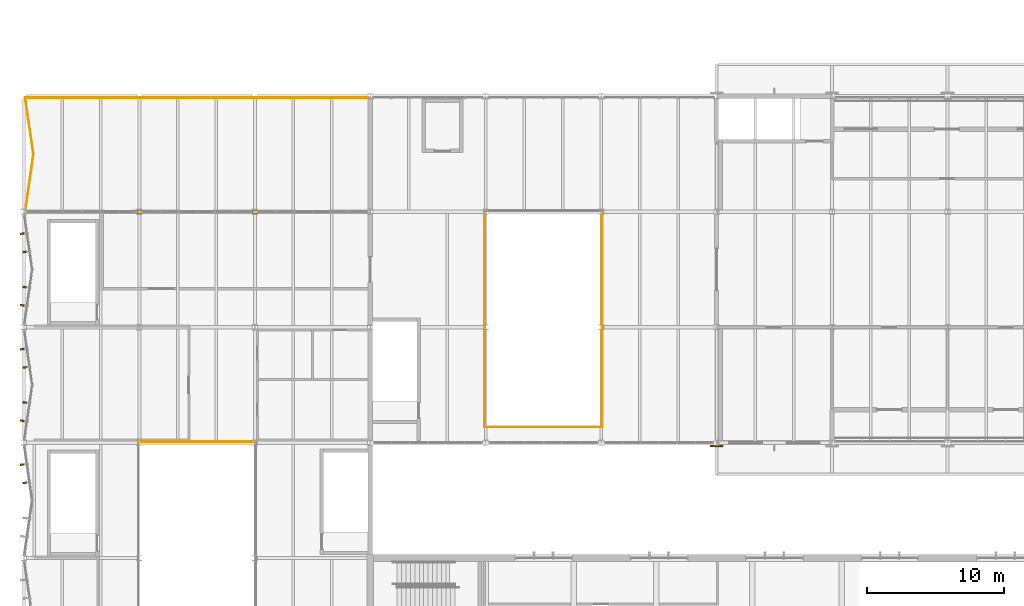
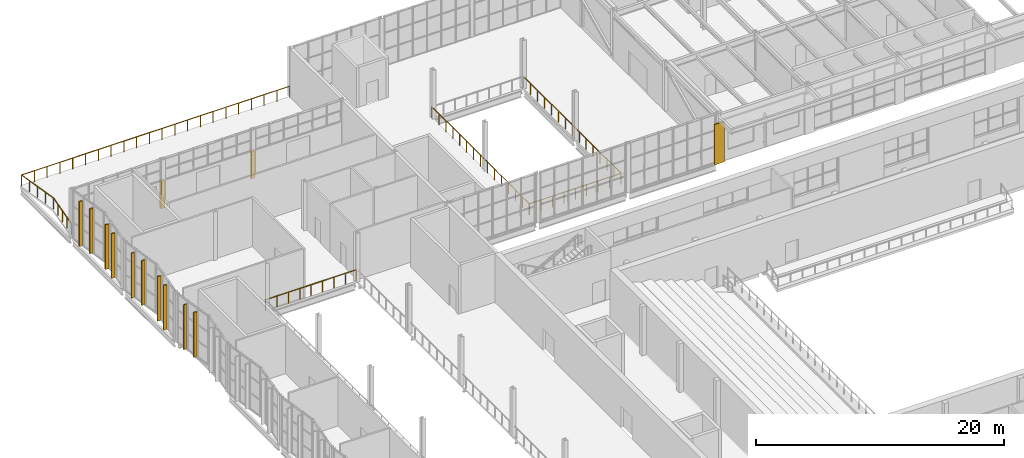
# One storey, part 110 of 116: 10 shading devices, 5 railings, 3 coverings.
"""IFC4 building model written with IfcOpenShell, lengths in metres."""

import ifcopenshell
import ifcopenshell.guid

model = None  # the IFC model being written
_history = None  # IfcOwnerHistory: only IFC2X3 demands one
_inside = {}  # id of a spatial element -> (the spatial element, [elements in it])
_under = {}  # id of a project, library or spatial element -> (it, [spatial elements below it])
_declared = {}  # id of a project -> (the project, [libraries it declares])
_typed = {}  # id of a type object -> (the type object, [elements of that type])
_made_of = {}  # id of a material, layer set ... -> (it, [elements and type objects made of it])


def new_model(schema):
    """Start an empty IFC model of exactly this schema.

    Asked for "IFC4X3", IfcOpenShell would pick the latest addendum, in which some entities
    have other attributes; the version numbers below select the first issue.
    IFC2X3 requires an IfcOwnerHistory on every rooted entity: one is made here for all.
    """
    global model, _history
    if schema == "IFC4X3":
        model = ifcopenshell.file(schema_version=(4, 3, 0, 0))
    else:
        model = ifcopenshell.file(schema=schema)
    _inside.clear()
    _under.clear()
    _declared.clear()
    _typed.clear()
    _made_of.clear()
    _history = None
    if model.schema == "IFC2X3":
        org = make("IfcOrganization", Name="unknown")
        user = make(
            "IfcPersonAndOrganization",
            ThePerson=make("IfcPerson", FamilyName="unknown"),
            TheOrganization=org,
        )
        app = make(
            "IfcApplication",
            ApplicationDeveloper=org,
            Version="unknown",
            ApplicationFullName="unknown",
            ApplicationIdentifier="unknown",
        )
        _history = make(
            "IfcOwnerHistory",
            OwningUser=user,
            OwningApplication=app,
            ChangeAction="ADDED",
            CreationDate=0,
        )
    return model


def make(cls, **values):
    """One entity of the class cls with the attributes given. An attribute that is None is left unset."""
    return model.create_entity(
        cls, **{name: value for name, value in values.items() if value is not None}
    )


def rooted(cls, **values):
    """An entity with a GlobalId (a new one), such as an element, a storey or a relation."""
    return make(cls, GlobalId=ifcopenshell.guid.new(), OwnerHistory=_history, **values)


def si_unit(unit_type, name, prefix=None):
    """IfcSIUnit, for example si_unit("LENGTHUNIT", "METRE", prefix="MILLI")."""
    return make("IfcSIUnit", UnitType=unit_type, Prefix=prefix, Name=name)


def assignment(units):
    """IfcUnitAssignment: the units of a project."""
    return None if units is None else make("IfcUnitAssignment", Units=units)


def point(xyz):
    """IfcCartesianPoint."""
    return None if xyz is None else make("IfcCartesianPoint", Coordinates=xyz)


def direction(xyz):
    """IfcDirection."""
    return None if xyz is None else make("IfcDirection", DirectionRatios=xyz)


def frame(location, z_axis=None, x_axis=None):
    """IfcAxis2Placement3D, a coordinate frame: its origin and axes. An axis left out is left unset."""
    return make(
        "IfcAxis2Placement3D",
        Location=point(location),
        Axis=direction(z_axis),
        RefDirection=direction(x_axis),
    )


def frame_2d(location, x_axis=None):
    """IfcAxis2Placement2D, a coordinate frame in the plane: its origin and x axis."""
    return make(
        "IfcAxis2Placement2D", Location=point(location), RefDirection=direction(x_axis)
    )


def origin():
    """The frame at (0, 0, 0) with its axes left unset."""
    return frame((0.0, 0.0, 0.0))


def origin_2d():
    """The frame at (0, 0) in the plane with its x axis left unset."""
    return frame_2d((0.0, 0.0))


def place(relative_to, where):
    """IfcLocalPlacement: puts the frame where relative to a parent placement (None: the world)."""
    return make(
        "IfcLocalPlacement", PlacementRelTo=relative_to, RelativePlacement=where
    )


def context(
    kind, dimensions, precision=None, world=None, true_north=None, identifier=None
):
    """IfcGeometricRepresentationContext, for example the 3D "Model" context."""
    return make(
        "IfcGeometricRepresentationContext",
        ContextIdentifier=identifier,
        ContextType=kind,
        CoordinateSpaceDimension=dimensions,
        Precision=precision,
        WorldCoordinateSystem=world,
        TrueNorth=true_north,
    )


def subcontext(parent, identifier, kind, view, scale=None):
    """IfcGeometricRepresentationSubContext, for example "Body" below "Model"."""
    return make(
        "IfcGeometricRepresentationSubContext",
        ContextIdentifier=identifier,
        ContextType=kind,
        ParentContext=parent,
        TargetScale=scale,
        TargetView=view,
    )


def project(units=None, contexts=None):
    """IfcProject with its units and contexts."""
    return rooted(
        "IfcProject",
        Name="project",
        RepresentationContexts=contexts,
        UnitsInContext=assignment(units),
    )


def spatial(cls, under=None, at=None, **own):
    """A site, building, storey or space (cls), placed at a placement, below another one or the project."""
    s = rooted(cls, ObjectPlacement=at, **own)
    if under is not None:
        _under.setdefault(under.id(), (under, []))[1].append(s)
    return s


def polyline(points):
    """IfcPolyline through the points."""
    return make("IfcPolyline", Points=[point(p) for p in points])


def profile(cls, at=None, kind="AREA", **sizes):
    """A parametric profile (cls). Its sizes go by their IFC names, for example OverallWidth=200.0."""
    return make(cls, ProfileType=kind, Position=at, **sizes)


def rectangle(**sizes):
    """IfcRectangleProfileDef."""
    return profile("IfcRectangleProfileDef", **sizes)


def circle(**sizes):
    """IfcCircleProfileDef."""
    return profile("IfcCircleProfileDef", **sizes)


def outline(outer, holes=None, kind="AREA"):
    """IfcArbitraryClosedProfileDef: a profile drawn as a closed curve; with holes, ...WithVoids."""
    if holes is None:
        return make("IfcArbitraryClosedProfileDef", ProfileType=kind, OuterCurve=outer)
    return make(
        "IfcArbitraryProfileDefWithVoids",
        ProfileType=kind,
        OuterCurve=outer,
        InnerCurves=holes,
    )


def extrude(swept, where, along, depth):
    """IfcExtrudedAreaSolid: the profile swept, set in the frame where, extruded along a direction by depth."""
    return make(
        "IfcExtrudedAreaSolid",
        SweptArea=swept,
        Position=where,
        ExtrudedDirection=direction(along),
        Depth=depth,
    )


def shape(context_of_items, identifier, shape_type, items):
    """IfcShapeRepresentation: the items that make up one representation, for example the "Body"."""
    return make(
        "IfcShapeRepresentation",
        ContextOfItems=context_of_items,
        RepresentationIdentifier=identifier,
        RepresentationType=shape_type,
        Items=items,
    )


def material(Name=None, Category=None):
    """IfcMaterial."""
    return make("IfcMaterial", Name=Name, Category=Category)


def layer(
    of_material, thickness, ventilated=None, Name=None, Category=None, Priority=None
):
    """IfcMaterialLayer: one layer of a wall or slab, of a material (None: an air gap)."""
    return make(
        "IfcMaterialLayer",
        Material=of_material,
        LayerThickness=thickness,
        IsVentilated=ventilated,
        Name=Name,
        Category=Category,
        Priority=Priority,
    )


def layer_set(layers, Name=None):
    """IfcMaterialLayerSet."""
    return make("IfcMaterialLayerSet", MaterialLayers=layers, LayerSetName=Name)


def made_of(thing, what):
    """Note that an element or type object is made of a material, layer set ...; save() writes the relation."""
    if what is not None:
        _made_of.setdefault(what.id(), (what, []))[1].append(thing)
    return thing


def type_object(cls, material=None, **own):
    """A type object (cls), such as IfcWallType, which elements share."""
    return made_of(rooted(cls, **own), material)


def element(
    cls,
    number,
    at=None,
    inside=None,
    cuts=None,
    type_object=None,
    material=None,
    context=None,
    identifier="Body",
    shape_type=None,
    held_by="IfcProductDefinitionShape",
    body=None,
    shapes=None,
    **own,
):
    """One element of the class cls, such as IfcWall. Its Tag is "e" and its number.

    at: its placement. inside: the storey or other place that contains it. cuts: it is an
    opening in that element (IfcRelVoidsElement). A single representation is given by context,
    identifier, shape_type and body (its items); several are given by shapes. held_by: the class
    of the entity that holds the representations. save() writes the other relations.
    """
    e = rooted(cls, Tag="e%d" % number, ObjectPlacement=at, **own)
    if body is not None:
        shapes = [shape(context, identifier, shape_type, body)]
    if shapes is not None:
        e.Representation = make(held_by, Representations=shapes)
    if inside is not None:
        _inside.setdefault(inside.id(), (inside, []))[1].append(e)
    if cuts is not None:
        rooted(
            "IfcRelVoidsElement", RelatingBuildingElement=cuts, RelatedOpeningElement=e
        )
    if type_object is not None:
        _typed.setdefault(type_object.id(), (type_object, []))[1].append(e)
    return made_of(e, material)


def aggregate(whole, parts):
    """IfcRelAggregates: a whole, such as a stair, and the parts it consists of."""
    return rooted("IfcRelAggregates", RelatingObject=whole, RelatedObjects=parts)


def save(model, path):
    """Write the relations noted so far, then the file.

    IfcRelAggregates (storeys below a building ...), IfcRelContainedInSpatialStructure (elements
    in a storey), IfcRelDefinesByType, IfcRelAssociatesMaterial and IfcRelDeclares: one each for
    every whole, place, type object, material and project.
    """
    for whole, parts in _under.values():
        aggregate(whole, parts)
    for where, things in _inside.values():
        rooted(
            "IfcRelContainedInSpatialStructure",
            RelatedElements=things,
            RelatingStructure=where,
        )
    for kind, things in _typed.values():
        rooted("IfcRelDefinesByType", RelatedObjects=things, RelatingType=kind)
    for what, things in _made_of.values():
        rooted("IfcRelAssociatesMaterial", RelatedObjects=things, RelatingMaterial=what)
    for by, libraries in _declared.values():
        rooted("IfcRelDeclares", RelatingContext=by, RelatedDefinitions=libraries)
    model.write(path)


model = new_model("IFC4")

# Units and contexts
model_context = context("Model", 3, precision=1e-05, world=origin(), true_north=direction((0.0, 1.0)))
body_context = subcontext(model_context, "Body", "Model", "MODEL_VIEW")
ifc_project = project(units=[si_unit("LENGTHUNIT", "METRE"), si_unit("AREAUNIT", "SQUARE_METRE"), si_unit("VOLUMEUNIT", "CUBIC_METRE"), si_unit("PLANEANGLEUNIT", "RADIAN"), si_unit("MASSUNIT", "GRAM", prefix="KILO")], contexts=[model_context])

# Site, building, storey
site_placement = place(None, origin())
site = spatial("IfcSite", under=ifc_project, at=site_placement, CompositionType="ELEMENT")
building_placement = place(site_placement, origin())
building = spatial("IfcBuilding", under=site, at=building_placement, Name="Ljudholm Concert House", CompositionType="ELEMENT")
storey_placement = place(building_placement, frame((0.0, 0.0, 10.199951171875)))
storey = spatial("IfcBuildingStorey", under=building, at=storey_placement, Name="L02", CompositionType="ELEMENT", Elevation=10.199951171875)

# Coverings
ifc_material_1 = material(Name="Aluminium panels with timber-grain PVDF finish", Category="aluminium")
ifc_layer_1 = layer(ifc_material_1, 2.699951171875)
ifc_layer_set_1 = layer_set([ifc_layer_1], Name="Aluminium panels with timber-grain PVDF finish")
covering_type_1 = type_object("IfcCoveringType", Name="ALUMINIUM PANELS WITH TIMBER-GRAIN PVDF FINISH CLADDING 2700", PredefinedType="CLADDING", material=ifc_layer_set_1)
covering_1_placement = place(storey_placement, origin())
element("IfcCovering", 1, at=covering_1_placement, inside=storey, type_object=covering_type_1, Name="Terrace wall joint panel", PredefinedType="CLADDING", context=body_context, shape_type="SweptSolid", body=[
    extrude(outline(polyline([(12.22216796875, 121.47509765625), (12.577880859375, 121.47509765625), (12.577880859375, 121.72509765625), (12.22216796875, 121.72509765625), (12.22216796875, 121.47509765625)])), origin(), (0.0, 0.0, 1.0), 2.699951171875),
])
covering_2_placement = place(storey_placement, origin())
element("IfcCovering", 2, at=covering_2_placement, inside=storey, type_object=covering_type_1, Name="Terrace wall joint panel", PredefinedType="CLADDING", context=body_context, shape_type="SweptSolid", body=[
    extrude(outline(polyline([(20.622314453125, 121.47509765625), (20.977783203125, 121.47509765625), (20.977783203125, 121.72509765625), (20.622314453125, 121.72509765625), (20.622314453125, 121.47509765625)])), origin(), (0.0, 0.0, 1.0), 2.699951171875),
])

# Shading devices
ifc_material_2 = material(Name="Aluminium extrusion with timber-grain PVDF finish", Category="aluminium")
shading_device_type = type_object("IfcShadingDeviceType", Name="FACADE FIN 300x120", PredefinedType="SHUTTER", material=ifc_material_2)
for number, where, z_axis, x_axis, name in (
    (3, (4.06396484375, 101.8779296875, 0.2001953125), (0.0, 0.0, 1.0), (-0.989949493662, -0.141421356235, 0.0), "Facade fin"),
    (4, (3.874267578125, 103.205322265625, 0.2001953125), (0.0, 0.0, 1.0), (-0.989949493662, -0.141421356235, 0.0), "Facade fin"),
    (5, (3.874267578125, 106.394775390625, 0.2001953125), (0.0, 0.0, 1.0), (-0.989949493662, 0.141421356235, 0.0), "Facade fin"),
    (6, (4.06396484375, 107.72216796875, 0.2001953125), (0.0, 0.0, 1.0), (-0.989949493662, 0.141421356235, 0.0), "Facade fin"),
    (7, (4.06396484375, 110.27783203125, 0.2001953125), (0.0, 0.0, 1.0), (-0.989949493662, -0.141421356235, 0.0), "Facade fin"),
    (8, (3.874267578125, 111.605224609375, 0.2001953125), (0.0, 0.0, 1.0), (-0.989949493662, -0.141421356235, 0.0), "Facade fin"),
    (9, (3.874267578125, 114.794677734375, 0.2001953125), (0.0, 0.0, 1.0), (-0.989949493662, 0.141421356235, 0.0), "Facade fin"),
    (10, (4.06396484375, 116.1220703125, 0.2001953125), (0.0, 0.0, 1.0), (-0.989949493662, 0.141421356235, 0.0), "Facade fin"),
    (11, (4.06396484375, 118.677978515625, 0.2001953125), (0.0, 0.0, 1.0), (-0.989949493662, -0.141421356235, 0.0), "Facade fin"),
    (12, (3.874267578125, 120.00537109375, 0.2001953125), (0.0, 0.0, 1.0), (-0.989949493662, -0.141421356235, 0.0), "Facade fin"),
):
    element("IfcShadingDevice", number, at=place(storey_placement, frame(where, z_axis=z_axis, x_axis=x_axis)), inside=storey, type_object=shading_device_type, Name=name, PredefinedType="SHUTTER", context=body_context, shape_type="SweptSolid", body=[
        extrude(rectangle(XDim=0.300048828125, YDim=0.1201171875, at=origin_2d()), origin(), (0.0, 0.0, 1.0), 4.39990234375),
    ])

# Railings
ifc_material_3 = material(Name="Steel ASTM A36", Category="steel")
railing_type_1 = type_object("IfcRailingType", Name="GUARD 1100", PredefinedType="GUARDRAIL", material=ifc_material_3)
railing_1_placement = place(storey_placement, frame((20.840087890625, 104.8701171875, 0.0)))
element("IfcRailing", 13, at=railing_1_placement, inside=storey, type_object=railing_type_1, Name="Atrium guard", PredefinedType="GUARDRAIL", context=body_context, shape_type="SweptSolid", body=[
    extrude(circle(Radius=0.02490234375, at=origin_2d()), frame((0.0, 0.0, 1.0751953125), z_axis=(-1.0, 0.0, 0.0), x_axis=(0.0, -1.0, 0.0)), (0.0, 0.0, 1.0), 8.47998046875),
    extrude(circle(Radius=0.02099609375, at=origin_2d()), origin(), (0.0, 0.0, 1.0), 1.050048828125),
    extrude(circle(Radius=0.02099609375, at=origin_2d()), frame((-1.06005859375, 0.0, 0.0)), (0.0, 0.0, 1.0), 1.050048828125),
    extrude(circle(Radius=0.02099609375, at=origin_2d()), frame((-2.1201171875, 0.0, 0.0)), (0.0, 0.0, 1.0), 1.050048828125),
    extrude(circle(Radius=0.02099609375, at=origin_2d()), frame((-3.179931640625, 0.0, 0.0)), (0.0, 0.0, 1.0), 1.050048828125),
    extrude(circle(Radius=0.02099609375, at=origin_2d()), frame((-4.239990234375, 0.0, 0.0)), (0.0, 0.0, 1.0), 1.050048828125),
    extrude(circle(Radius=0.02099609375, at=origin_2d()), frame((-5.300048828125, 0.0, 0.0)), (0.0, 0.0, 1.0), 1.050048828125),
    extrude(circle(Radius=0.02099609375, at=origin_2d()), frame((-6.35986328125, 0.0, 0.0)), (0.0, 0.0, 1.0), 1.050048828125),
    extrude(circle(Radius=0.02099609375, at=origin_2d()), frame((-7.419921875, 0.0, 0.0)), (0.0, 0.0, 1.0), 1.050048828125),
    extrude(circle(Radius=0.02099609375, at=origin_2d()), frame((-8.47998046875, 0.0, 0.0)), (0.0, 0.0, 1.0), 1.050048828125),
])
railing_2_placement = place(storey_placement, frame((37.56005859375, 105.929931640625, 0.0)))
element("IfcRailing", 14, at=railing_2_placement, inside=storey, type_object=railing_type_1, Name="Atrium guard", PredefinedType="GUARDRAIL", context=body_context, shape_type="SweptSolid", body=[
    extrude(circle(Radius=0.02490234375, at=origin_2d()), frame((0.0, 0.0, 1.0751953125), z_axis=(1.0, 0.0, 0.0), x_axis=(0.0, 1.0, 0.0)), (0.0, 0.0, 1.0), 8.47998046875),
    extrude(circle(Radius=0.02099609375, at=origin_2d()), origin(), (0.0, 0.0, 1.0), 1.050048828125),
    extrude(circle(Radius=0.02099609375, at=origin_2d()), frame((1.06005859375, 0.0, 0.0)), (0.0, 0.0, 1.0), 1.050048828125),
    extrude(circle(Radius=0.02099609375, at=origin_2d()), frame((2.1201171875, 0.0, 0.0)), (0.0, 0.0, 1.0), 1.050048828125),
    extrude(circle(Radius=0.02099609375, at=origin_2d()), frame((3.179931640625, 0.0, 0.0)), (0.0, 0.0, 1.0), 1.050048828125),
    extrude(circle(Radius=0.02099609375, at=origin_2d()), frame((4.239990234375, 0.0, 0.0)), (0.0, 0.0, 1.0), 1.050048828125),
    extrude(circle(Radius=0.02099609375, at=origin_2d()), frame((5.300048828125, 0.0, 0.0)), (0.0, 0.0, 1.0), 1.050048828125),
    extrude(circle(Radius=0.02099609375, at=origin_2d()), frame((6.35986328125, 0.0, 0.0)), (0.0, 0.0, 1.0), 1.050048828125),
    extrude(circle(Radius=0.02099609375, at=origin_2d()), frame((7.419921875, 0.0, 0.0)), (0.0, 0.0, 1.0), 1.050048828125),
    extrude(circle(Radius=0.02099609375, at=origin_2d()), frame((8.47998046875, 0.0, 0.0)), (0.0, 0.0, 1.0), 1.050048828125),
])
railing_3_placement = place(storey_placement, frame((46.070068359375, 105.9599609375, 0.0)))
element("IfcRailing", 15, at=railing_3_placement, inside=storey, type_object=railing_type_1, Name="Atrium guard", PredefinedType="GUARDRAIL", context=body_context, shape_type="SweptSolid", body=[
    extrude(circle(Radius=0.02490234375, at=origin_2d()), frame((0.0, 0.0, 1.0751953125), z_axis=(0.0, 1.0, 0.0), x_axis=(-1.0, 0.0, 0.0)), (0.0, 0.0, 1.0), 15.679931640625),
    extrude(circle(Radius=0.02099609375, at=origin_2d()), origin(), (0.0, 0.0, 1.0), 1.050048828125),
    extrude(circle(Radius=0.02099609375, at=origin_2d()), frame((0.0, 1.1201171875, 0.0)), (0.0, 0.0, 1.0), 1.050048828125),
    extrude(circle(Radius=0.02099609375, at=origin_2d()), frame((0.0, 2.239990234375, 0.0)), (0.0, 0.0, 1.0), 1.050048828125),
    extrude(circle(Radius=0.02099609375, at=origin_2d()), frame((0.0, 3.35986328125, 0.0)), (0.0, 0.0, 1.0), 1.050048828125),
    extrude(circle(Radius=0.02099609375, at=origin_2d()), frame((0.0, 4.47998046875, 0.0)), (0.0, 0.0, 1.0), 1.050048828125),
    extrude(circle(Radius=0.02099609375, at=origin_2d()), frame((0.0, 5.60009765625, 0.0)), (0.0, 0.0, 1.0), 1.050048828125),
    extrude(circle(Radius=0.02099609375, at=origin_2d()), frame((0.0, 6.719970703125, 0.0)), (0.0, 0.0, 1.0), 1.050048828125),
    extrude(circle(Radius=0.02099609375, at=origin_2d()), frame((0.0, 7.83984375, 0.0)), (0.0, 0.0, 1.0), 1.050048828125),
    extrude(circle(Radius=0.02099609375, at=origin_2d()), frame((0.0, 8.9599609375, 0.0)), (0.0, 0.0, 1.0), 1.050048828125),
    extrude(circle(Radius=0.02099609375, at=origin_2d()), frame((0.0, 10.080078125, 0.0)), (0.0, 0.0, 1.0), 1.050048828125),
    extrude(circle(Radius=0.02099609375, at=origin_2d()), frame((0.0, 11.199951171875, 0.0)), (0.0, 0.0, 1.0), 1.050048828125),
    extrude(circle(Radius=0.02099609375, at=origin_2d()), frame((0.0, 12.31982421875, 0.0)), (0.0, 0.0, 1.0), 1.050048828125),
    extrude(circle(Radius=0.02099609375, at=origin_2d()), frame((0.0, 13.43994140625, 0.0)), (0.0, 0.0, 1.0), 1.050048828125),
    extrude(circle(Radius=0.02099609375, at=origin_2d()), frame((0.0, 14.56005859375, 0.0)), (0.0, 0.0, 1.0), 1.050048828125),
    extrude(circle(Radius=0.02099609375, at=origin_2d()), frame((0.0, 15.679931640625, 0.0)), (0.0, 0.0, 1.0), 1.050048828125),
])
railing_4_placement = place(storey_placement, frame((37.530029296875, 121.639892578125, 0.0)))
element("IfcRailing", 16, at=railing_4_placement, inside=storey, type_object=railing_type_1, Name="Atrium guard", PredefinedType="GUARDRAIL", context=body_context, shape_type="SweptSolid", body=[
    extrude(circle(Radius=0.02490234375, at=origin_2d()), frame((0.0, 0.0, 1.0751953125), z_axis=(0.0, -1.0, 0.0), x_axis=(1.0, 0.0, 0.0)), (0.0, 0.0, 1.0), 15.679931640625),
    extrude(circle(Radius=0.02099609375, at=origin_2d()), origin(), (0.0, 0.0, 1.0), 1.050048828125),
    extrude(circle(Radius=0.02099609375, at=origin_2d()), frame((0.0, -1.1201171875, 0.0)), (0.0, 0.0, 1.0), 1.050048828125),
    extrude(circle(Radius=0.02099609375, at=origin_2d()), frame((0.0, -2.239990234375, 0.0)), (0.0, 0.0, 1.0), 1.050048828125),
    extrude(circle(Radius=0.02099609375, at=origin_2d()), frame((0.0, -3.35986328125, 0.0)), (0.0, 0.0, 1.0), 1.050048828125),
    extrude(circle(Radius=0.02099609375, at=origin_2d()), frame((0.0, -4.47998046875, 0.0)), (0.0, 0.0, 1.0), 1.050048828125),
    extrude(circle(Radius=0.02099609375, at=origin_2d()), frame((0.0, -5.60009765625, 0.0)), (0.0, 0.0, 1.0), 1.050048828125),
    extrude(circle(Radius=0.02099609375, at=origin_2d()), frame((0.0, -6.719970703125, 0.0)), (0.0, 0.0, 1.0), 1.050048828125),
    extrude(circle(Radius=0.02099609375, at=origin_2d()), frame((0.0, -7.83984375, 0.0)), (0.0, 0.0, 1.0), 1.050048828125),
    extrude(circle(Radius=0.02099609375, at=origin_2d()), frame((0.0, -8.9599609375, 0.0)), (0.0, 0.0, 1.0), 1.050048828125),
    extrude(circle(Radius=0.02099609375, at=origin_2d()), frame((0.0, -10.080078125, 0.0)), (0.0, 0.0, 1.0), 1.050048828125),
    extrude(circle(Radius=0.02099609375, at=origin_2d()), frame((0.0, -11.199951171875, 0.0)), (0.0, 0.0, 1.0), 1.050048828125),
    extrude(circle(Radius=0.02099609375, at=origin_2d()), frame((0.0, -12.31982421875, 0.0)), (0.0, 0.0, 1.0), 1.050048828125),
    extrude(circle(Radius=0.02099609375, at=origin_2d()), frame((0.0, -13.43994140625, 0.0)), (0.0, 0.0, 1.0), 1.050048828125),
    extrude(circle(Radius=0.02099609375, at=origin_2d()), frame((0.0, -14.56005859375, 0.0)), (0.0, 0.0, 1.0), 1.050048828125),
    extrude(circle(Radius=0.02099609375, at=origin_2d()), frame((0.0, -15.679931640625, 0.0)), (0.0, 0.0, 1.0), 1.050048828125),
])
ifc_material_4 = material(Name="Steel ASTM A36", Category="steel")
railing_type_2 = type_object("IfcRailingType", Name="GUARD 1100 EXTERNAL", PredefinedType="GUARDRAIL", material=ifc_material_4)
railing_5_placement = place(storey_placement, frame((4.146484375, 121.925048828125, 0.0)))
element("IfcRailing", 17, at=railing_5_placement, inside=storey, type_object=railing_type_2, Name="Terrace guard", PredefinedType="GUARDRAIL", context=body_context, shape_type="SweptSolid", body=[
    extrude(circle(Radius=0.02490234375, at=origin_2d()), frame((0.0, 0.0, 1.0751953125), z_axis=(0.141395160349, 0.989953235577, 0.0), x_axis=(-0.989953235577, 0.141395160349, 0.0)), (0.0, 0.0, 1.0), 3.914306640625),
    extrude(circle(Radius=0.02490234375, at=origin_2d()), frame((0.553466796875, 3.875, 1.0751953125), z_axis=(-0.144769633612, 0.989465387562, 0.0), x_axis=(-0.989465387562, -0.144769633612, 0.0)), (0.0, 0.0, 1.0), 4.1435546875),
    extrude(circle(Radius=0.02490234375, at=origin_2d()), frame((-0.04638671875, 7.974853515625, 1.0751953125), z_axis=(1.0, 0.0, 0.0), x_axis=(0.0, 1.0, 0.0)), (0.0, 0.0, 1.0), 24.949951171875),
    extrude(circle(Radius=0.02099609375, at=origin_2d()), origin(), (0.0, 0.0, 1.0), 1.050048828125),
    extrude(circle(Radius=0.02099609375, at=origin_2d()), frame((0.138427734375, 0.96875, 0.0)), (0.0, 0.0, 1.0), 1.050048828125),
    extrude(circle(Radius=0.02099609375, at=origin_2d()), frame((0.27685546875, 1.9375, 0.0)), (0.0, 0.0, 1.0), 1.050048828125),
    extrude(circle(Radius=0.02099609375, at=origin_2d()), frame((0.4150390625, 2.90625, 0.0)), (0.0, 0.0, 1.0), 1.050048828125),
    extrude(circle(Radius=0.02099609375, at=origin_2d()), frame((0.553466796875, 3.875, 0.0)), (0.0, 0.0, 1.0), 1.050048828125),
    extrude(circle(Radius=0.02099609375, at=origin_2d()), frame((0.403564453125, 4.89990234375, 0.0)), (0.0, 0.0, 1.0), 1.050048828125),
    extrude(circle(Radius=0.02099609375, at=origin_2d()), frame((0.25341796875, 5.9248046875, 0.0)), (0.0, 0.0, 1.0), 1.050048828125),
    extrude(circle(Radius=0.02099609375, at=origin_2d()), frame((0.103515625, 6.949951171875, 0.0)), (0.0, 0.0, 1.0), 1.050048828125),
    extrude(circle(Radius=0.02099609375, at=origin_2d()), frame((-0.04638671875, 7.974853515625, 0.0)), (0.0, 0.0, 1.0), 1.050048828125),
    extrude(circle(Radius=0.02099609375, at=origin_2d()), frame((1.1416015625, 7.974853515625, 0.0)), (0.0, 0.0, 1.0), 1.050048828125),
    extrude(circle(Radius=0.02099609375, at=origin_2d()), frame((2.329833984375, 7.974853515625, 0.0)), (0.0, 0.0, 1.0), 1.050048828125),
    extrude(circle(Radius=0.02099609375, at=origin_2d()), frame((3.517822265625, 7.974853515625, 0.0)), (0.0, 0.0, 1.0), 1.050048828125),
    extrude(circle(Radius=0.02099609375, at=origin_2d()), frame((4.7060546875, 7.974853515625, 0.0)), (0.0, 0.0, 1.0), 1.050048828125),
    extrude(circle(Radius=0.02099609375, at=origin_2d()), frame((5.89404296875, 7.974853515625, 0.0)), (0.0, 0.0, 1.0), 1.050048828125),
    extrude(circle(Radius=0.02099609375, at=origin_2d()), frame((7.082275390625, 7.974853515625, 0.0)), (0.0, 0.0, 1.0), 1.050048828125),
    extrude(circle(Radius=0.02099609375, at=origin_2d()), frame((8.270263671875, 7.974853515625, 0.0)), (0.0, 0.0, 1.0), 1.050048828125),
    extrude(circle(Radius=0.02099609375, at=origin_2d()), frame((9.458251953125, 7.974853515625, 0.0)), (0.0, 0.0, 1.0), 1.050048828125),
    extrude(circle(Radius=0.02099609375, at=origin_2d()), frame((10.646484375, 7.974853515625, 0.0)), (0.0, 0.0, 1.0), 1.050048828125),
    extrude(circle(Radius=0.02099609375, at=origin_2d()), frame((11.83447265625, 7.974853515625, 0.0)), (0.0, 0.0, 1.0), 1.050048828125),
    extrude(circle(Radius=0.02099609375, at=origin_2d()), frame((13.022705078125, 7.974853515625, 0.0)), (0.0, 0.0, 1.0), 1.050048828125),
    extrude(circle(Radius=0.02099609375, at=origin_2d()), frame((14.210693359375, 7.974853515625, 0.0)), (0.0, 0.0, 1.0), 1.050048828125),
    extrude(circle(Radius=0.02099609375, at=origin_2d()), frame((15.39892578125, 7.974853515625, 0.0)), (0.0, 0.0, 1.0), 1.050048828125),
    extrude(circle(Radius=0.02099609375, at=origin_2d()), frame((16.5869140625, 7.974853515625, 0.0)), (0.0, 0.0, 1.0), 1.050048828125),
    extrude(circle(Radius=0.02099609375, at=origin_2d()), frame((17.77490234375, 7.974853515625, 0.0)), (0.0, 0.0, 1.0), 1.050048828125),
    extrude(circle(Radius=0.02099609375, at=origin_2d()), frame((18.963134765625, 7.974853515625, 0.0)), (0.0, 0.0, 1.0), 1.050048828125),
    extrude(circle(Radius=0.02099609375, at=origin_2d()), frame((20.151123046875, 7.974853515625, 0.0)), (0.0, 0.0, 1.0), 1.050048828125),
    extrude(circle(Radius=0.02099609375, at=origin_2d()), frame((21.33935546875, 7.974853515625, 0.0)), (0.0, 0.0, 1.0), 1.050048828125),
    extrude(circle(Radius=0.02099609375, at=origin_2d()), frame((22.52734375, 7.974853515625, 0.0)), (0.0, 0.0, 1.0), 1.050048828125),
    extrude(circle(Radius=0.02099609375, at=origin_2d()), frame((23.715576171875, 7.974853515625, 0.0)), (0.0, 0.0, 1.0), 1.050048828125),
    extrude(circle(Radius=0.02099609375, at=origin_2d()), frame((24.903564453125, 7.974853515625, 0.0)), (0.0, 0.0, 1.0), 1.050048828125),
])

# Covering
ifc_material_5 = material(Name="Precast concrete, limestone aggregate", Category="masonry")
ifc_layer_2 = layer(ifc_material_5, 0.110107421875)
ifc_layer_set_2 = layer_set([ifc_layer_2], Name="Precast concrete, limestone aggregate")
covering_type_2 = type_object("IfcCoveringType", Name="PRECAST CONCRETE, LIMESTONE AGGREGATE CLADDING 110", PredefinedType="CLADDING", material=ifc_layer_set_2)
covering_3_placement = place(storey_placement, frame((54.39990234375, 104.554931640625, 0.0), z_axis=(0.0, 0.0, 1.0), x_axis=(0.0, -1.0, 0.0)))
element("IfcCovering", 18, at=covering_3_placement, inside=storey, type_object=covering_type_2, Name="Pilaster cladding", PredefinedType="CLADDING", context=body_context, shape_type="SweptSolid", body=[
    extrude(rectangle(XDim=0.110107421875, YDim=0.89990234375, at=origin_2d()), origin(), (0.0, 0.0, 1.0), 3.969970703125),
])

save(model, "model.ifc")
